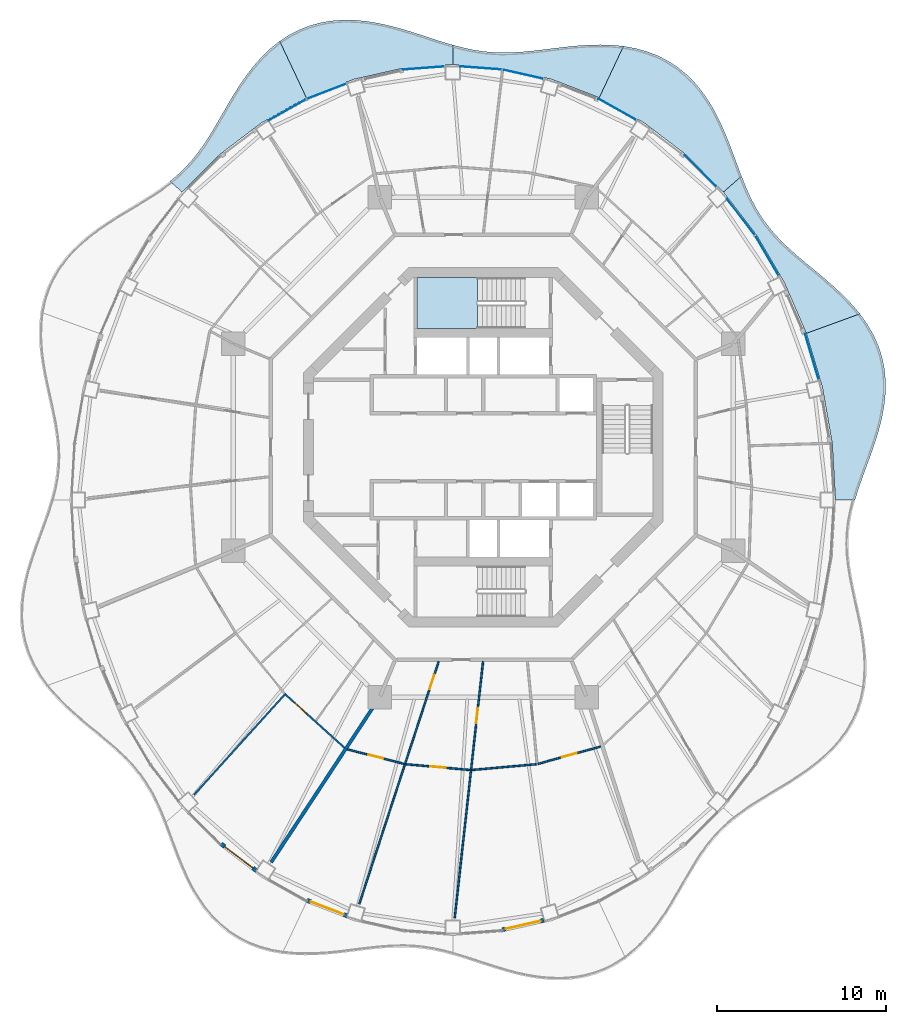
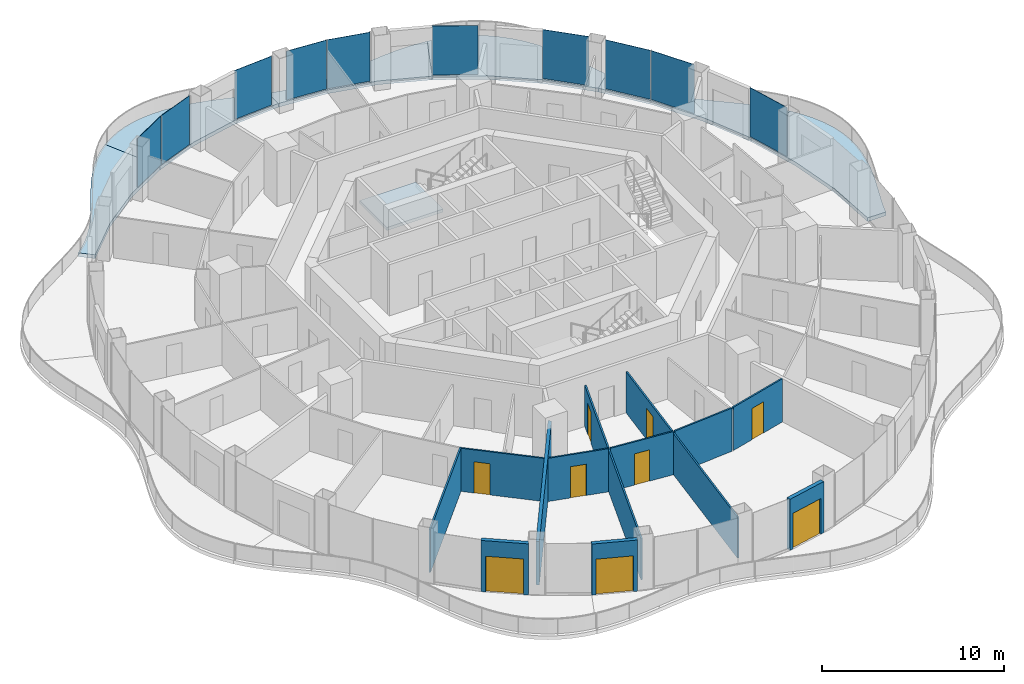
# One storey, part 9 of 18: 12 walls, 10 plates, 9 doors, 7 slabs, 9 openings, 11 elements without a shape of their own.
"""IFC4 building model written with IfcOpenShell, lengths in metres."""

from ifc_helpers import new_model, si_unit, direction, frame, frame_2d, origin, origin_2d, place, context, subcontext, project, spatial, polyline, rectangle, outline, extrude, material, layer, layer_set, type_object, element, fill, aggregate, save


model = new_model("IFC4")

# Units and contexts
model_context = context("Model", 3, precision=1e-05, world=origin(), true_north=direction((0.0, 1.0)))
body_context = subcontext(model_context, "Body", "Model", "MODEL_VIEW")
ifc_project = project(units=[si_unit("LENGTHUNIT", "METRE"), si_unit("AREAUNIT", "SQUARE_METRE"), si_unit("VOLUMEUNIT", "CUBIC_METRE"), si_unit("PLANEANGLEUNIT", "RADIAN"), si_unit("MASSUNIT", "GRAM", prefix="KILO")], contexts=[model_context])

# Site, building, storey
site_placement = place(None, origin())
site = spatial("IfcSite", under=ifc_project, at=site_placement, CompositionType="ELEMENT")
building_placement = place(site_placement, origin())
building = spatial("IfcBuilding", under=site, at=building_placement, Name="Nagisa Residences", CompositionType="ELEMENT")
storey_placement = place(building_placement, frame((0.0, 0.0, 284.39990234375)))
storey = spatial("IfcBuildingStorey", under=building, at=storey_placement, Name="L72", CompositionType="ELEMENT", Elevation=284.39990234375)

# Slabs
ifc_material_1 = material(Name="Concrete C40/50", Category="concrete")
ifc_layer_1 = layer(ifc_material_1, 0.25)
ifc_layer_set_1 = layer_set([ifc_layer_1], Name="BALCONY SLAB 250")
slab_type_1 = type_object("IfcSlabType", Name="BALCONY SLAB 250", PredefinedType="FLOOR", material=ifc_layer_set_1)
slab_1_placement = place(storey_placement, frame((0.0, 0.0, -0.25)))
element("IfcSlab", 1, at=slab_1_placement, inside=storey, type_object=slab_type_1, Name="slab:L72:bal00", PredefinedType="FLOOR", context=body_context, shape_type="SweptSolid", body=[
    extrude(outline(polyline([(21.97216796875, -3.11767578125), (22.1767578125, -2.46044921875), (22.40966796875, -1.79248046875), (22.658935546875, -1.112060546875), (22.912353515625, -0.418701171875), (23.15625, 0.287109375), (23.376953125, 1.00390625), (23.560791015625, 1.728759765625), (23.696044921875, 2.458251953125), (23.772216796875, 3.187744140625), (23.7802734375, 3.912353515625), (23.71435546875, 4.62646484375), (23.571533203125, 5.325439453125), (23.35107421875, 6.004150390625), (23.055419921875, 6.65869140625), (22.689697265625, 7.2861328125), (22.261962890625, 7.88427734375), (19.09814453125, 6.732666015625), (20.04931640625, 3.544189453125), (20.62646484375, 0.241943359375), (20.820068359375, -3.11767578125), (21.97216796875, -3.11767578125)])), origin(), (0.0, 0.0, 1.0), 0.25),
])
slab_2_placement = place(storey_placement, frame((0.0, 0.0, -0.25)))
element("IfcSlab", 2, at=slab_2_placement, inside=storey, type_object=slab_type_1, Name="slab:L72:bal01", PredefinedType="FLOOR", context=body_context, shape_type="SweptSolid", body=[
    extrude(outline(polyline([(22.261962890625, 7.88427734375), (21.796875, 8.435546875), (21.292724609375, 8.960205078125), (20.7607421875, 9.460205078125), (20.212646484375, 9.93896484375), (19.659912109375, 10.401123046875), (19.113525390625, 10.852294921875), (18.58349609375, 11.298583984375), (18.078369140625, 11.746337890625), (17.604736328125, 12.20263671875), (17.1669921875, 12.673095703125), (16.767333984375, 13.16357421875), (16.40576171875, 13.678466796875), (16.079833984375, 14.220947265625), (15.78515625, 14.792724609375), (15.515380859375, 15.393798828125), (15.2626953125, 16.021728515625), (14.19482421875, 15.083251953125), (16.145751953125, 12.5517578125), (17.78955078125, 9.752197265625), (19.09814453125, 6.732666015625), (22.261962890625, 7.88427734375)])), origin(), (0.0, 0.0, 1.0), 0.25),
])
slab_3_placement = place(storey_placement, frame((0.0, 0.0, -0.25)))
element("IfcSlab", 3, at=slab_3_placement, inside=storey, type_object=slab_type_1, Name="slab:L72:bal02", PredefinedType="FLOOR", context=body_context, shape_type="SweptSolid", body=[
    extrude(outline(polyline([(15.2626953125, 16.021728515625), (15.029296875, 16.641845703125), (14.795166015625, 17.2783203125), (14.551513671875, 17.924560546875), (14.29052734375, 18.57373046875), (14.004150390625, 19.21728515625), (13.685791015625, 19.846435546875), (13.330078125, 20.452392578125), (12.932861328125, 21.02587890625), (12.49169921875, 21.558837890625), (12.00537109375, 22.04345703125), (11.47509765625, 22.4736328125), (10.9033203125, 22.8447265625), (10.29345703125, 23.1533203125), (9.650390625, 23.398681640625), (8.98046875, 23.581298828125), (8.289794921875, 23.704345703125), (6.856201171875, 20.6630859375), (9.510009765625, 19.173828125), (11.97021484375, 17.30322265625), (14.19482421875, 15.083251953125), (15.2626953125, 16.021728515625)])), origin(), (0.0, 0.0, 1.0), 0.25),
])
slab_4_placement = place(storey_placement, frame((0.0, 0.0, -0.25)))
element("IfcSlab", 4, at=slab_4_placement, inside=storey, type_object=slab_type_1, Name="slab:L72:bal03", PredefinedType="FLOOR", context=body_context, shape_type="SweptSolid", body=[
    extrude(outline(polyline([(8.289794921875, 23.704345703125), (7.611083984375, 23.770751953125), (6.92529296875, 23.792236328125), (6.238525390625, 23.77587890625), (5.5556640625, 23.729736328125), (4.880859375, 23.662841796875), (4.2177734375, 23.584228515625), (3.568603515625, 23.503662109375), (2.93408203125, 23.429931640625), (2.314453125, 23.370849609375), (1.708251953125, 23.333984375), (1.114013671875, 23.324951171875), (0.5283203125, 23.347900390625), (-0.05224609375, 23.40478515625), (-0.631103515625, 23.496337890625), (-1.212646484375, 23.62060546875), (-1.800048828125, 23.7744140625), (-1.800048828125, 22.622314453125), (1.152587890625, 22.402099609375), (4.054443359375, 21.745361328125), (6.856201171875, 20.6630859375), (8.289794921875, 23.704345703125)])), origin(), (0.0, 0.0, 1.0), 0.25),
])
slab_5_placement = place(storey_placement, frame((0.0, 0.0, -0.25)))
element("IfcSlab", 5, at=slab_5_placement, inside=storey, type_object=slab_type_1, Name="slab:L72:bal04", PredefinedType="FLOOR", context=body_context, shape_type="SweptSolid", body=[
    extrude(outline(polyline([(-1.800048828125, 23.7744140625), (-2.396728515625, 23.9521484375), (-3.005615234375, 24.1474609375), (-3.6279296875, 24.35205078125), (-4.2646484375, 24.556640625), (-4.91552734375, 24.751708984375), (-5.5791015625, 24.927490234375), (-6.252685546875, 25.07421875), (-6.93310546875, 25.182861328125), (-7.61572265625, 25.244873046875), (-8.2958984375, 25.253662109375), (-8.968017578125, 25.20361328125), (-9.626953125, 25.0908203125), (-10.267333984375, 24.91357421875), (-10.884033203125, 24.671875), (-11.47314453125, 24.3671875), (-12.03076171875, 24.003662109375), (-10.456298828125, 20.6630859375), (-7.654541015625, 21.745361328125), (-4.75244140625, 22.402099609375), (-1.800048828125, 22.622314453125), (-1.800048828125, 23.7744140625)])), origin(), (0.0, 0.0, 1.0), 0.25),
])
slab_6_placement = place(storey_placement, frame((0.0, 0.0, -0.25)))
element("IfcSlab", 6, at=slab_6_placement, inside=storey, type_object=slab_type_1, Name="slab:L72:bal05", PredefinedType="FLOOR", context=body_context, shape_type="SweptSolid", body=[
    extrude(outline(polyline([(-12.03076171875, 24.003662109375), (-12.574462890625, 23.5693359375), (-13.080810546875, 23.084228515625), (-13.550537109375, 22.556884765625), (-13.9853515625, 21.996826171875), (-14.388916015625, 21.413818359375), (-14.765625, 20.818115234375), (-15.121337890625, 20.219482421875), (-15.463134765625, 19.626220703125), (-15.798095703125, 19.046875), (-16.133544921875, 18.487548828125), (-16.47705078125, 17.95361328125), (-16.83544921875, 17.447998046875), (-17.21435546875, 16.97265625), (-17.619140625, 16.52734375), (-18.052734375, 16.110107421875), (-18.51708984375, 15.718017578125), (-17.794677734375, 15.083251953125), (-15.570068359375, 17.30322265625), (-13.110107421875, 19.173828125), (-10.456298828125, 20.6630859375), (-12.03076171875, 24.003662109375)])), origin(), (0.0, 0.0, 1.0), 0.25),
])

# Curtain wall, plate
ifc_material_2 = material(Name="Concrete-coloured aluminium curtain wall system", Category="concrete")
ifc_layer_2 = layer(ifc_material_2, 0.159912109375)
ifc_layer_set_2 = layer_set([ifc_layer_2], Name="CW1 CURTAIN WALL")
curtain_wall_type = type_object("IfcCurtainWallType", Name="CW1 CURTAIN WALL", PredefinedType="NOTDEFINED", material=ifc_layer_set_2)
curtain_wall_1_placement = place(storey_placement, origin())
curtain_wall_1 = element("IfcCurtainWall", 7, at=curtain_wall_1_placement, inside=storey, type_object=curtain_wall_type, Name="cw:CW1:L72:02", PredefinedType="NOTDEFINED")
ifc_material_3 = material(Name="Clear laminated glass", Category="glass")
ifc_layer_3 = layer(ifc_material_3, 0.028076171875)
ifc_layer_set_3 = layer_set([ifc_layer_3], Name="CW1 GLASS PANEL")
plate_type = type_object("IfcPlateType", Name="CW1 GLASS PANEL", PredefinedType="CURTAIN_PANEL", material=ifc_layer_set_3)
plate_1_placement = place(storey_placement, frame((19.424072265625, 5.35986328125, 0.150146484375), z_axis=(0.0, 0.0, 1.0), x_axis=(-0.285860274038, 0.958271310082, 0.0)))
plate_1 = element("IfcPlate", 8, at=plate_1_placement, type_object=plate_type, Name="CW1 panel", PredefinedType="CURTAIN_PANEL", context=body_context, shape_type="SweptSolid", body=[
    extrude(rectangle(XDim=2.817138671875, YDim=0.028076171875, at=origin_2d()), origin(), (0.0, 0.0, 1.0), 3.2900390625),
])
aggregate(curtain_wall_1, [plate_1])

curtain_wall_2_placement = place(storey_placement, origin())
curtain_wall_2 = element("IfcCurtainWall", 9, at=curtain_wall_2_placement, inside=storey, type_object=curtain_wall_type, Name="cw:CW1:L72:04", PredefinedType="NOTDEFINED")
plate_2_placement = place(storey_placement, frame((16.76953125, 11.33154296875, 0.150146484375), z_axis=(0.0, 0.0, 1.0), x_axis=(-0.506348567002, 0.862328898214, 0.0)))
plate_2 = element("IfcPlate", 10, at=plate_2_placement, type_object=plate_type, Name="CW1 panel", PredefinedType="CURTAIN_PANEL", context=body_context, shape_type="SweptSolid", body=[
    extrude(rectangle(XDim=2.736572265625, YDim=0.028076171875, at=origin_2d()), origin(), (0.0, 0.0, 1.0), 3.2900390625),
])
aggregate(curtain_wall_2, [plate_2])

curtain_wall_3_placement = place(storey_placement, origin())
curtain_wall_3 = element("IfcCurtainWall", 11, at=curtain_wall_3_placement, inside=storey, type_object=curtain_wall_type, Name="cw:CW1:L72:05", PredefinedType="NOTDEFINED")
plate_3_placement = place(storey_placement, frame((15.225830078125, 13.6142578125, 0.150146484375), z_axis=(0.0, 0.0, 1.0), x_axis=(-0.610429828235, 0.792070340816, 0.0)))
plate_3 = element("IfcPlate", 12, at=plate_3_placement, type_object=plate_type, Name="CW1 panel", PredefinedType="CURTAIN_PANEL", context=body_context, shape_type="SweptSolid", body=[
    extrude(rectangle(XDim=2.68603515625, YDim=0.028076171875, at=origin_2d()), origin(), (0.0, 0.0, 1.0), 3.2900390625),
])
aggregate(curtain_wall_3, [plate_3])

curtain_wall_4_placement = place(storey_placement, origin())
curtain_wall_4 = element("IfcCurtainWall", 13, at=curtain_wall_4_placement, inside=storey, type_object=curtain_wall_type, Name="cw:CW1:L72:06", PredefinedType="NOTDEFINED")
plate_4_placement = place(storey_placement, frame((12.845458984375, 16.316650390625, 0.150146484375), z_axis=(0.0, 0.0, 1.0), x_axis=(-0.707835924016, 0.706376885714, 0.0)))
plate_4 = element("IfcPlate", 14, at=plate_4_placement, type_object=plate_type, Name="CW1 panel", PredefinedType="CURTAIN_PANEL", context=body_context, shape_type="SweptSolid", body=[
    extrude(rectangle(XDim=2.6328125, YDim=0.028076171875, at=origin_2d()), origin(), (0.0, 0.0, 1.0), 3.2900390625),
])
aggregate(curtain_wall_4, [plate_4])

curtain_wall_5_placement = place(storey_placement, origin())
curtain_wall_5 = element("IfcCurtainWall", 15, at=curtain_wall_5_placement, inside=storey, type_object=curtain_wall_type, Name="cw:CW1:L72:08", PredefinedType="NOTDEFINED")
plate_5_placement = place(storey_placement, frame((7.921630859375, 19.973388671875, 0.150146484375), z_axis=(0.0, 0.0, 1.0), x_axis=(-0.872072377523, 0.489376918501, 0.0)))
plate_5 = element("IfcPlate", 16, at=plate_5_placement, type_object=plate_type, Name="CW1 panel", PredefinedType="CURTAIN_PANEL", context=body_context, shape_type="SweptSolid", body=[
    extrude(rectangle(XDim=2.532958984375, YDim=0.028076171875, at=origin_2d()), origin(), (0.0, 0.0, 1.0), 3.2900390625),
])
aggregate(curtain_wall_5, [plate_5])

curtain_wall_6_placement = place(storey_placement, origin())
curtain_wall_6 = element("IfcCurtainWall", 17, at=curtain_wall_6_placement, inside=storey, type_object=curtain_wall_type, Name="cw:CW1:L72:10", PredefinedType="NOTDEFINED")
plate_6_placement = place(storey_placement, frame((2.337158203125, 22.052001953125, 0.150146484375), z_axis=(0.0, 0.0, 1.0), x_axis=(-0.975327274089, 0.2207639201, 0.0)))
plate_6 = element("IfcPlate", 18, at=plate_6_placement, type_object=plate_type, Name="CW1 panel", PredefinedType="CURTAIN_PANEL", context=body_context, shape_type="SweptSolid", body=[
    extrude(rectangle(XDim=2.46533203125, YDim=0.028076171875, at=origin_2d()), origin(), (0.0, 0.0, 1.0), 3.2900390625),
])
aggregate(curtain_wall_6, [plate_6])

curtain_wall_7_placement = place(storey_placement, origin())
curtain_wall_7 = element("IfcCurtainWall", 19, at=curtain_wall_7_placement, inside=storey, type_object=curtain_wall_type, Name="cw:CW1:L72:11", PredefinedType="NOTDEFINED")
plate_7_placement = place(storey_placement, frame((-0.13525390625, 22.41796875, 0.150146484375), z_axis=(0.0, 0.0, 1.0), x_axis=(-0.997230168512, 0.074377355493, 0.0)))
plate_7 = element("IfcPlate", 20, at=plate_7_placement, type_object=plate_type, Name="CW1 panel", PredefinedType="CURTAIN_PANEL", context=body_context, shape_type="SweptSolid", body=[
    extrude(rectangle(XDim=2.45068359375, YDim=0.028076171875, at=origin_2d()), origin(), (0.0, 0.0, 1.0), 3.2900390625),
])
aggregate(curtain_wall_7, [plate_7])

curtain_wall_8_placement = place(storey_placement, origin())
curtain_wall_8 = element("IfcCurtainWall", 21, at=curtain_wall_8_placement, inside=storey, type_object=curtain_wall_type, Name="cw:CW1:L72:12", PredefinedType="NOTDEFINED")
plate_8_placement = place(storey_placement, frame((-3.524658203125, 22.41357421875, 0.150146484375), z_axis=(0.0, 0.0, 1.0), x_axis=(-0.997230168512, -0.074377355493, 0.0)))
plate_8 = element("IfcPlate", 22, at=plate_8_placement, type_object=plate_type, Name="CW1 panel", PredefinedType="CURTAIN_PANEL", context=body_context, shape_type="SweptSolid", body=[
    extrude(rectangle(XDim=2.45068359375, YDim=0.028076171875, at=origin_2d()), origin(), (0.0, 0.0, 1.0), 3.2900390625),
])
aggregate(curtain_wall_8, [plate_8])

curtain_wall_9_placement = place(storey_placement, origin())
curtain_wall_9 = element("IfcCurtainWall", 23, at=curtain_wall_9_placement, inside=storey, type_object=curtain_wall_type, Name="cw:CW1:L72:14", PredefinedType="NOTDEFINED")
plate_9_placement = place(storey_placement, frame((-9.264404296875, 21.03759765625, 0.150146484375), z_axis=(0.0, 0.0, 1.0), x_axis=(-0.932825759707, -0.360327770268, 0.0)))
plate_9 = element("IfcPlate", 24, at=plate_9_placement, type_object=plate_type, Name="CW1 panel", PredefinedType="CURTAIN_PANEL", context=body_context, shape_type="SweptSolid", body=[
    extrude(rectangle(XDim=2.49365234375, YDim=0.028076171875, at=origin_2d()), origin(), (0.0, 0.0, 1.0), 3.2900390625),
])
aggregate(curtain_wall_9, [plate_9])

curtain_wall_10_placement = place(storey_placement, origin())
curtain_wall_10 = element("IfcCurtainWall", 25, at=curtain_wall_10_placement, inside=storey, type_object=curtain_wall_type, Name="cw:CW1:L72:15", PredefinedType="NOTDEFINED")
plate_10_placement = place(storey_placement, frame((-11.573974609375, 19.944091796875, 0.150146484375), z_axis=(0.0, 0.0, 1.0), x_axis=(-0.872072377523, -0.489376918501, 0.0)))
plate_10 = element("IfcPlate", 26, at=plate_10_placement, type_object=plate_type, Name="CW1 panel", PredefinedType="CURTAIN_PANEL", context=body_context, shape_type="SweptSolid", body=[
    extrude(rectangle(XDim=2.532958984375, YDim=0.028076171875, at=origin_2d()), origin(), (0.0, 0.0, 1.0), 3.2900390625),
])
aggregate(curtain_wall_10, [plate_10])

# Stair, slab
ifc_material_4 = material(Name="Concrete C60", Category="concrete")
stair_type = type_object("IfcStairType", Name="Exit stair", PredefinedType="HALF_TURN_STAIR", material=ifc_material_4)
stair_placement = place(storey_placement, origin())
stair = element("IfcStair", 27, at=stair_placement, inside=storey, type_object=stair_type, Name="L72 Exit stair N", PredefinedType="HALF_TURN_STAIR")
ifc_material_5 = material(Name="Concrete C60", Category="concrete")
ifc_layer_4 = layer(ifc_material_5, 0.199951171875)
ifc_layer_set_4 = layer_set([ifc_layer_4], Name="Stair landing")
slab_type_2 = type_object("IfcSlabType", Name="Stair landing", PredefinedType="LANDING", material=ifc_layer_set_4)
slab_7_placement = place(storey_placement, frame((0.0, 0.0, 1.650146484375)))
slab_7 = element("IfcSlab", 28, at=slab_7_placement, type_object=slab_type_2, Name="ST-N landing 1", PredefinedType="LANDING", context=body_context, shape_type="SweptSolid", body=[
    extrude(outline(polyline([(-0.324951171875, 10.024658203125), (-3.89990234375, 10.024658203125), (-3.89990234375, 7.024658203125), (-0.324951171875, 7.024658203125), (-0.324951171875, 10.024658203125)])), origin(), (0.0, 0.0, 1.0), 0.199951171875),
])
aggregate(stair, [slab_7])

# Walls
ifc_material_6 = material(Name="Gypsum board on steel studs", Category="steel")
ifc_layer_5 = layer(ifc_material_6, 0.199951171875)
ifc_layer_set_5 = layer_set([ifc_layer_5], Name="Apartment compartment wall EI60 200")
wall_type_1 = type_object("IfcWallType", Name="Apartment compartment wall EI60 200", PredefinedType="PARTITIONING", material=ifc_layer_set_5)
wall_1_placement = place(storey_placement, frame((-6.150634765625, -14.82373046875, 0.0), z_axis=(0.0, 0.0, 1.0), x_axis=(-0.549345577828, -0.835595258556, 0.0)))
element("IfcWall", 29, at=wall_1_placement, inside=storey, type_object=wall_type_1, Name="wall:L72:u09", PredefinedType="PARTITIONING", context=body_context, shape_type="SweptSolid", body=[
    extrude(rectangle(XDim=11.619873046875, YDim=0.199951171875, at=frame_2d((5.81005859375, 0.0))), origin(), (0.0, 0.0, 1.0), 2.905029296875),
])
ifc_material_7 = material(Name="Gypsum board on steel studs", Category="steel")
ifc_layer_6 = layer(ifc_material_7, 0.10009765625)
ifc_layer_set_6 = layer_set([ifc_layer_6], Name="Apartment partition 100")
wall_type_2 = type_object("IfcWallType", Name="Apartment partition 100", PredefinedType="PARTITIONING", material=ifc_layer_set_6)
wall_2_placement = place(storey_placement, frame((-11.67919921875, -14.55712890625, 0.0), z_axis=(0.0, 0.0, 1.0), x_axis=(-0.670800011545, -0.741638284146, 0.0)))
element("IfcWall", 30, at=wall_2_placement, inside=storey, type_object=wall_type_2, Name="wall:L72:u54", PredefinedType="PARTITIONING", context=body_context, shape_type="SweptSolid", body=[
    extrude(rectangle(XDim=8.068115234375, YDim=0.10009765625, at=frame_2d((4.0341796875, 0.0))), origin(), (0.0, 0.0, 1.0), 2.905029296875),
])

# Wall, opening, door
wall_3_placement = place(storey_placement, frame((-11.675537109375, -14.627685546875, 0.0), z_axis=(0.0, 0.0, 1.0), x_axis=(0.74245829867, -0.669892285921, 0.0)))
wall_3 = element("IfcWall", 31, at=wall_3_placement, inside=storey, type_object=wall_type_2, Name="wall:L72:u55", PredefinedType="PARTITIONING", context=body_context, shape_type="SweptSolid", body=[
    extrude(rectangle(XDim=4.679931640625, YDim=0.10009765625, at=frame_2d((2.33984375, 0.0))), origin(), (0.0, 0.0, 1.0), 2.905029296875),
])
opening_1_placement = place(wall_3_placement, frame((0.732421875, 0.0, 0.0)))
opening_1 = element("IfcOpeningElement", 32, at=opening_1_placement, cuts=wall_3, Name="Opening L72-U06", PredefinedType="OPENING", context=body_context, shape_type="SweptSolid", body=[
    extrude(rectangle(XDim=0.89990234375, YDim=2.10009765625, at=frame_2d((0.449951171875, 1.050048828125))), frame((0.0, 0.06005859375, 0.0), z_axis=(0.0, -1.0, 0.0), x_axis=(1.0, 0.0, 0.0)), (0.0, 0.0, 1.0), 0.1201171875),
])
ifc_material_8 = material(Name="Timber door set", Category="wood")
door_type_1 = type_object("IfcDoorType", Name="Apartment door 900x2100", OperationType="NOTDEFINED", PredefinedType="DOOR", material=ifc_material_8)
door_1_placement = place(opening_1_placement, frame((0.89990234375, 0.0, 0.0), x_axis=(-1.0, 0.0, 0.0)))
door_1 = element("IfcDoor", 33, at=door_1_placement, inside=storey, type_object=door_type_1, Name="Door to living room, Apartment 72A", OperationType="SINGLE_SWING_LEFT", OverallHeight=2.10009765625, OverallWidth=0.89990234375, PredefinedType="DOOR", context=body_context, shape_type="SweptSolid", body=[
    extrude(rectangle(XDim=0.89990234375, YDim=2.10009765625, at=frame_2d((0.449951171875, 1.050048828125))), frame((0.0, 0.02490234375, 0.0), z_axis=(0.0, -1.0, 0.0), x_axis=(1.0, 0.0, 0.0)), (0.0, 0.0, 1.0), 0.050048828125),
])
fill(opening_1, door_1)

wall_4_placement = place(storey_placement, frame((-8.02978515625, -17.8544921875, 0.0), z_axis=(0.0, 0.0, 1.0), x_axis=(0.968441967324, -0.249239154077, 0.0)))
wall_4 = element("IfcWall", 34, at=wall_4_placement, inside=storey, type_object=wall_type_2, Name="wall:L72:u57", PredefinedType="PARTITIONING", context=body_context, shape_type="SweptSolid", body=[
    extrude(rectangle(XDim=3.467529296875, YDim=0.10009765625, at=frame_2d((1.73388671875, 0.0))), origin(), (0.0, 0.0, 1.0), 2.905029296875),
])
opening_2_placement = place(wall_4_placement, frame((1.28369140625, 0.0, 0.0)))
opening_2 = element("IfcOpeningElement", 35, at=opening_2_placement, cuts=wall_4, Name="Opening L72-U11", PredefinedType="OPENING", context=body_context, shape_type="SweptSolid", body=[
    extrude(rectangle(XDim=0.89990234375, YDim=2.10009765625, at=frame_2d((0.449951171875, 1.050048828125))), frame((0.0, 0.06005859375, 0.0), z_axis=(0.0, -1.0, 0.0), x_axis=(1.0, 0.0, 0.0)), (0.0, 0.0, 1.0), 0.1201171875),
])
door_2_placement = place(opening_2_placement, frame((0.89990234375, 0.0, 0.0), x_axis=(-1.0, 0.0, 0.0)))
door_2 = element("IfcDoor", 36, at=door_2_placement, inside=storey, type_object=door_type_1, Name="Door to kitchen, Apartment 72B", OperationType="SINGLE_SWING_RIGHT", OverallHeight=2.10009765625, OverallWidth=0.89990234375, PredefinedType="DOOR", context=body_context, shape_type="SweptSolid", body=[
    extrude(rectangle(XDim=0.89990234375, YDim=2.10009765625, at=frame_2d((0.449951171875, 1.050048828125))), frame((0.0, 0.02490234375, 0.0), z_axis=(0.0, -1.0, 0.0), x_axis=(1.0, 0.0, 0.0)), (0.0, 0.0, 1.0), 0.050048828125),
])
fill(opening_2, door_2)

wall_5_placement = place(storey_placement, frame((-2.63330078125, -12.65966796875, 0.0), z_axis=(0.0, 0.0, 1.0), x_axis=(-0.311432955908, -0.950268127412, 0.0)))
wall_5 = element("IfcWall", 37, at=wall_5_placement, inside=storey, type_object=wall_type_2, Name="wall:L72:u58", PredefinedType="PARTITIONING", context=body_context, shape_type="SweptSolid", body=[
    extrude(rectangle(XDim=15.07421875, YDim=0.10009765625, at=frame_2d((7.537109375, 0.0))), origin(), (0.0, 0.0, 1.0), 2.76220703125),
])
opening_3_placement = place(wall_5_placement, frame((0.828857421875, 0.0, 0.0)))
opening_3 = element("IfcOpeningElement", 38, at=opening_3_placement, cuts=wall_5, Name="Opening L72-U08", PredefinedType="OPENING", context=body_context, shape_type="SweptSolid", body=[
    extrude(rectangle(XDim=0.89990234375, YDim=2.10009765625, at=frame_2d((0.449951171875, 1.050048828125))), frame((0.0, 0.06005859375, 0.0), z_axis=(0.0, -1.0, 0.0), x_axis=(1.0, 0.0, 0.0)), (0.0, 0.0, 1.0), 0.1201171875),
])
door_3_placement = place(opening_3_placement, frame((0.89990234375, 0.0, 0.0), x_axis=(-1.0, 0.0, 0.0)))
door_3 = element("IfcDoor", 39, at=door_3_placement, inside=storey, type_object=door_type_1, Name="Door to store, Apartment 72B", OperationType="SINGLE_SWING_LEFT", OverallHeight=2.10009765625, OverallWidth=0.89990234375, PredefinedType="DOOR", context=body_context, shape_type="SweptSolid", body=[
    extrude(rectangle(XDim=0.89990234375, YDim=2.10009765625, at=frame_2d((0.449951171875, 1.050048828125))), frame((0.0, 0.02490234375, 0.0), z_axis=(0.0, -1.0, 0.0), x_axis=(1.0, 0.0, 0.0)), (0.0, 0.0, 1.0), 0.050048828125),
])
fill(opening_3, door_3)

wall_6_placement = place(storey_placement, frame((-4.5732421875, -18.735595703125, 0.0), z_axis=(0.0, 0.0, 1.0), x_axis=(0.995986472869, -0.089503887414, 0.0)))
wall_6 = element("IfcWall", 40, at=wall_6_placement, inside=storey, type_object=wall_type_2, Name="wall:L72:u59", PredefinedType="PARTITIONING", context=body_context, shape_type="SweptSolid", body=[
    extrude(rectangle(XDim=3.81884765625, YDim=0.10009765625, at=frame_2d((1.909423828125, 0.0))), origin(), (0.0, 0.0, 1.0), 2.905029296875),
])
opening_4_placement = place(wall_6_placement, frame((1.45947265625, 0.0, 0.0)))
opening_4 = element("IfcOpeningElement", 41, at=opening_4_placement, cuts=wall_6, Name="Opening L72-U12", PredefinedType="OPENING", context=body_context, shape_type="SweptSolid", body=[
    extrude(rectangle(XDim=0.89990234375, YDim=2.10009765625, at=frame_2d((0.449951171875, 1.050048828125))), frame((0.0, 0.06005859375, 0.0), z_axis=(0.0, -1.0, 0.0), x_axis=(1.0, 0.0, 0.0)), (0.0, 0.0, 1.0), 0.1201171875),
])
door_4_placement = place(opening_4_placement, frame((0.89990234375, 0.0, 0.0), x_axis=(-1.0, 0.0, 0.0)))
door_4 = element("IfcDoor", 42, at=door_4_placement, inside=storey, type_object=door_type_1, Name="Door to master bedroom, Apartment 72B", OperationType="SINGLE_SWING_LEFT", OverallHeight=2.10009765625, OverallWidth=0.89990234375, PredefinedType="DOOR", context=body_context, shape_type="SweptSolid", body=[
    extrude(rectangle(XDim=0.89990234375, YDim=2.10009765625, at=frame_2d((0.449951171875, 1.050048828125))), frame((0.0, 0.02490234375, 0.0), z_axis=(0.0, -1.0, 0.0), x_axis=(1.0, 0.0, 0.0)), (0.0, 0.0, 1.0), 0.050048828125),
])
fill(opening_4, door_4)

wall_7_placement = place(storey_placement, frame((-0.010986328125, -12.6640625, 0.0), z_axis=(0.0, 0.0, 1.0), x_axis=(-0.109805889692, -0.993953050495, 0.0)))
wall_7 = element("IfcWall", 43, at=wall_7_placement, inside=storey, type_object=wall_type_2, Name="wall:L72:u60", PredefinedType="PARTITIONING", context=body_context, shape_type="SweptSolid", body=[
    extrude(rectangle(XDim=15.248046875, YDim=0.10009765625, at=frame_2d((7.6240234375, 0.0))), origin(), (0.0, 0.0, 1.0), 2.76220703125),
])
opening_5_placement = place(wall_7_placement, frame((2.7783203125, 0.0, 0.0)))
opening_5 = element("IfcOpeningElement", 44, at=opening_5_placement, cuts=wall_7, Name="Opening L72-U09", PredefinedType="OPENING", context=body_context, shape_type="SweptSolid", body=[
    extrude(rectangle(XDim=0.89990234375, YDim=2.10009765625, at=frame_2d((0.449951171875, 1.050048828125))), frame((0.0, 0.06005859375, 0.0), z_axis=(0.0, -1.0, 0.0), x_axis=(1.0, 0.0, 0.0)), (0.0, 0.0, 1.0), 0.1201171875),
])
door_5_placement = place(opening_5_placement, origin())
door_5 = element("IfcDoor", 45, at=door_5_placement, inside=storey, type_object=door_type_1, Name="Door to family bathroom, Apartment 72B", OperationType="SINGLE_SWING_LEFT", OverallHeight=2.10009765625, OverallWidth=0.89990234375, PredefinedType="DOOR", context=body_context, shape_type="SweptSolid", body=[
    extrude(rectangle(XDim=0.89990234375, YDim=2.10009765625, at=frame_2d((0.449951171875, 1.050048828125))), frame((0.0, 0.02490234375, 0.0), z_axis=(0.0, -1.0, 0.0), x_axis=(1.0, 0.0, 0.0)), (0.0, 0.0, 1.0), 0.050048828125),
])
fill(opening_5, door_5)

# Wall
wall_8_placement = place(storey_placement, frame((-0.670166015625, -19.077392578125, 0.0), z_axis=(0.0, 0.0, 1.0), x_axis=(0.995986472869, 0.089503887414, 0.0)))
element("IfcWall", 46, at=wall_8_placement, inside=storey, type_object=wall_type_2, Name="wall:L72:u61", PredefinedType="PARTITIONING", context=body_context, shape_type="SweptSolid", body=[
    extrude(rectangle(XDim=3.81884765625, YDim=0.10009765625, at=frame_2d((1.909423828125, 0.0))), origin(), (0.0, 0.0, 1.0), 2.905029296875),
])

# Wall, opening, door
wall_9_placement = place(storey_placement, frame((3.231201171875, -18.7177734375, 0.0), z_axis=(0.0, 0.0, 1.0), x_axis=(0.963606817151, 0.267323590318, 0.0)))
wall_9 = element("IfcWall", 47, at=wall_9_placement, inside=storey, type_object=wall_type_2, Name="wall:L72:u63", PredefinedType="PARTITIONING", context=body_context, shape_type="SweptSolid", body=[
    extrude(rectangle(XDim=3.85302734375, YDim=0.10009765625, at=frame_2d((1.926513671875, 0.0))), origin(), (0.0, 0.0, 1.0), 2.905029296875),
])
opening_6_placement = place(wall_9_placement, frame((1.4765625, 0.0, 0.0)))
opening_6 = element("IfcOpeningElement", 48, at=opening_6_placement, cuts=wall_9, Name="Opening L72-U13", PredefinedType="OPENING", context=body_context, shape_type="SweptSolid", body=[
    extrude(rectangle(XDim=0.89990234375, YDim=2.10009765625, at=frame_2d((0.449951171875, 1.050048828125))), frame((0.0, 0.06005859375, 0.0), z_axis=(0.0, -1.0, 0.0), x_axis=(1.0, 0.0, 0.0)), (0.0, 0.0, 1.0), 0.1201171875),
])
door_6_placement = place(opening_6_placement, frame((0.89990234375, 0.0, 0.0), x_axis=(-1.0, 0.0, 0.0)))
door_6 = element("IfcDoor", 49, at=door_6_placement, inside=storey, type_object=door_type_1, Name="Door to family room, Apartment 72B", OperationType="SINGLE_SWING_RIGHT", OverallHeight=2.10009765625, OverallWidth=0.89990234375, PredefinedType="DOOR", context=body_context, shape_type="SweptSolid", body=[
    extrude(rectangle(XDim=0.89990234375, YDim=2.10009765625, at=frame_2d((0.449951171875, 1.050048828125))), frame((0.0, 0.02490234375, 0.0), z_axis=(0.0, -1.0, 0.0), x_axis=(1.0, 0.0, 0.0)), (0.0, 0.0, 1.0), 0.050048828125),
])
fill(opening_6, door_6)

ifc_material_9 = material(Name="Precast concrete C40/50", Category="concrete")
ifc_layer_7 = layer(ifc_material_9, 0.25)
ifc_layer_set_7 = layer_set([ifc_layer_7], Name="BALCONY DOOR WALL 250")
wall_type_3 = type_object("IfcWallType", Name="BALCONY DOOR WALL 250", PredefinedType="SOLIDWALL", material=ifc_layer_set_7)
wall_10_placement = place(storey_placement, frame((-13.392578125, -25.037353515625, 0.0), z_axis=(0.0, 0.0, 1.0), x_axis=(-0.796055284084, 0.605223912847, 0.0)))
wall_10 = element("IfcWall", 50, at=wall_10_placement, inside=storey, type_object=wall_type_3, Name="wall:L72:bay31", PredefinedType="SOLIDWALL", context=body_context, shape_type="SweptSolid", body=[
    extrude(rectangle(XDim=2.640625, YDim=0.25, at=frame_2d((1.3203125, 0.0))), origin(), (0.0, 0.0, 1.0), 3.440185546875),
])
opening_7_placement = place(wall_10_placement, frame((0.270263671875, 0.0, 0.0)))
opening_7 = element("IfcOpeningElement", 51, at=opening_7_placement, cuts=wall_10, Name="Opening BD-L72-11", PredefinedType="OPENING", context=body_context, shape_type="SweptSolid", body=[
    extrude(rectangle(XDim=2.10009765625, YDim=2.39990234375, at=frame_2d((1.050048828125, 1.199951171875))), frame((0.0, 0.135009765625, 0.0), z_axis=(0.0, -1.0, 0.0), x_axis=(1.0, 0.0, 0.0)), (0.0, 0.0, 1.0), 0.27001953125),
])
ifc_material_10 = material(Name="Aluminium and clear glass", Category="aluminium")
door_type_2 = type_object("IfcDoorType", Name="BALCONY SLIDING DOOR 2100x2400", OperationType="SLIDING_TO_LEFT", PredefinedType="DOOR", material=ifc_material_10)
door_7_placement = place(opening_7_placement, origin())
door_7 = element("IfcDoor", 52, at=door_7_placement, inside=storey, type_object=door_type_2, Name="door:L72:bay31", OperationType="SLIDING_TO_LEFT", OverallHeight=2.39990234375, OverallWidth=2.10009765625, PredefinedType="DOOR", context=body_context, shape_type="SweptSolid", body=[
    extrude(rectangle(XDim=2.10009765625, YDim=2.39990234375, at=frame_2d((1.050048828125, 1.199951171875))), frame((0.0, 0.02490234375, 0.0), z_axis=(0.0, -1.0, 0.0), x_axis=(1.0, 0.0, 0.0)), (0.0, 0.0, 1.0), 0.050048828125),
])
fill(opening_7, door_7)

wall_11_placement = place(storey_placement, frame((-8.029296875, -27.701904296875, 0.0), z_axis=(0.0, 0.0, 1.0), x_axis=(-0.93282223778, 0.360336887792, 0.0)))
wall_11 = element("IfcWall", 53, at=wall_11_placement, inside=storey, type_object=wall_type_3, Name="wall:L72:bay33", PredefinedType="SOLIDWALL", context=body_context, shape_type="SweptSolid", body=[
    extrude(rectangle(XDim=2.5537109375, YDim=0.25, at=frame_2d((1.27685546875, 0.0))), origin(), (0.0, 0.0, 1.0), 3.440185546875),
])
opening_8_placement = place(wall_11_placement, frame((0.226806640625, 0.0, 0.0)))
opening_8 = element("IfcOpeningElement", 54, at=opening_8_placement, cuts=wall_11, Name="Opening BD-L72-12", PredefinedType="OPENING", context=body_context, shape_type="SweptSolid", body=[
    extrude(rectangle(XDim=2.10009765625, YDim=2.39990234375, at=frame_2d((1.050048828125, 1.199951171875))), frame((0.0, 0.135009765625, 0.0), z_axis=(0.0, -1.0, 0.0), x_axis=(1.0, 0.0, 0.0)), (0.0, 0.0, 1.0), 0.27001953125),
])
door_8_placement = place(opening_8_placement, origin())
door_8 = element("IfcDoor", 55, at=door_8_placement, inside=storey, type_object=door_type_2, Name="door:L72:bay33", OperationType="SLIDING_TO_LEFT", OverallHeight=2.39990234375, OverallWidth=2.10009765625, PredefinedType="DOOR", context=body_context, shape_type="SweptSolid", body=[
    extrude(rectangle(XDim=2.10009765625, YDim=2.39990234375, at=frame_2d((1.050048828125, 1.199951171875))), frame((0.0, 0.02490234375, 0.0), z_axis=(0.0, -1.0, 0.0), x_axis=(1.0, 0.0, 0.0)), (0.0, 0.0, 1.0), 0.050048828125),
])
fill(opening_8, door_8)

wall_12_placement = place(storey_placement, frame((3.587890625, -27.9580078125, 0.0), z_axis=(0.0, 0.0, 1.0), x_axis=(-0.97531487046, -0.22081871175, 0.0)))
wall_12 = element("IfcWall", 56, at=wall_12_placement, inside=storey, type_object=wall_type_3, Name="wall:L72:bay37", PredefinedType="SOLIDWALL", context=body_context, shape_type="SweptSolid", body=[
    extrude(rectangle(XDim=2.525146484375, YDim=0.25, at=frame_2d((1.2626953125, 0.0))), origin(), (0.0, 0.0, 1.0), 3.440185546875),
])
opening_9_placement = place(wall_12_placement, frame((0.212646484375, 0.0, 0.0)))
opening_9 = element("IfcOpeningElement", 57, at=opening_9_placement, cuts=wall_12, Name="Opening BD-L72-13", PredefinedType="OPENING", context=body_context, shape_type="SweptSolid", body=[
    extrude(rectangle(XDim=2.10009765625, YDim=2.39990234375, at=frame_2d((1.050048828125, 1.199951171875))), frame((0.0, 0.135009765625, 0.0), z_axis=(0.0, -1.0, 0.0), x_axis=(1.0, 0.0, 0.0)), (0.0, 0.0, 1.0), 0.27001953125),
])
door_9_placement = place(opening_9_placement, origin())
door_9 = element("IfcDoor", 58, at=door_9_placement, inside=storey, type_object=door_type_2, Name="door:L72:bay37", OperationType="SLIDING_TO_LEFT", OverallHeight=2.39990234375, OverallWidth=2.10009765625, PredefinedType="DOOR", context=body_context, shape_type="SweptSolid", body=[
    extrude(rectangle(XDim=2.10009765625, YDim=2.39990234375, at=frame_2d((1.050048828125, 1.199951171875))), frame((0.0, 0.02490234375, 0.0), z_axis=(0.0, -1.0, 0.0), x_axis=(1.0, 0.0, 0.0)), (0.0, 0.0, 1.0), 0.050048828125),
])
fill(opening_9, door_9)

save(model, "model.ifc")
